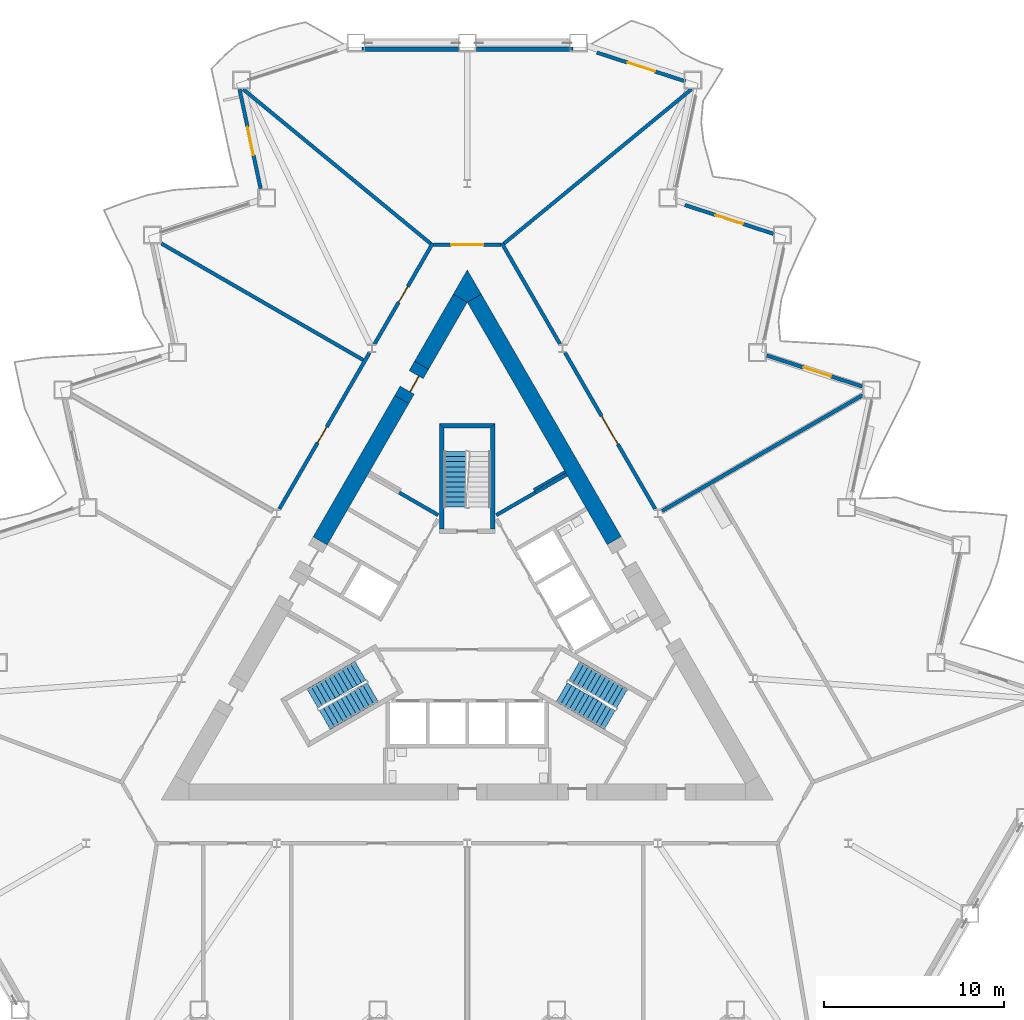
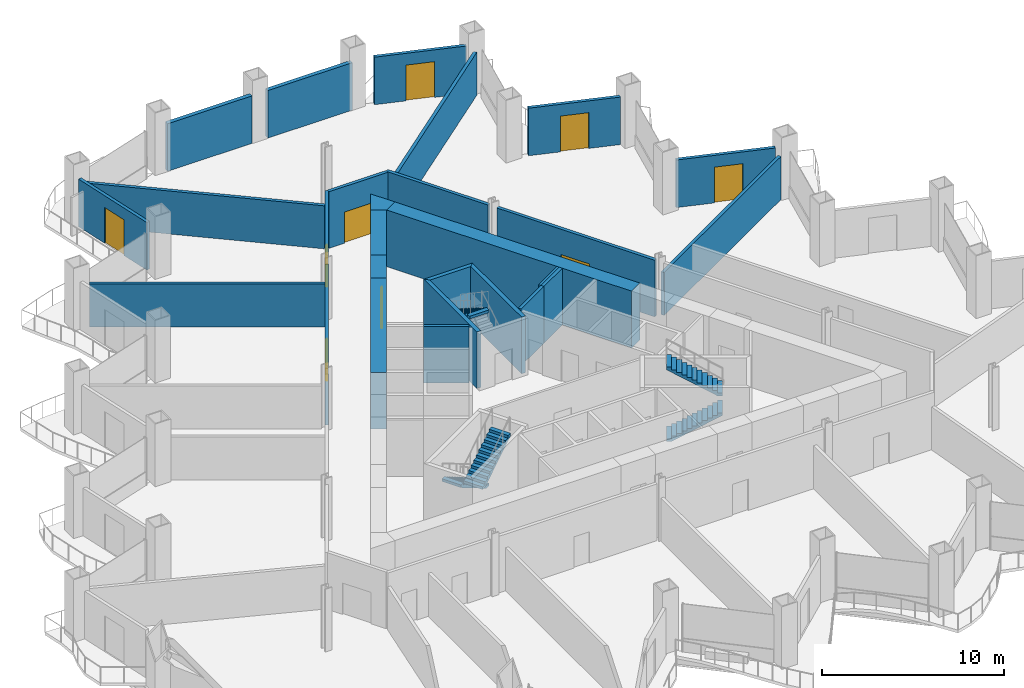
# One storey, part 12 of 20: 27 walls, 9 doors, 5 stair flights, 9 openings, 3 elements without a shape of their own.
"""IFC4 building model written with IfcOpenShell, lengths in metres."""

from ifc_helpers import new_model, si_unit, direction, frame, frame_2d, origin, place, context, subcontext, project, spatial, polyline, rectangle, outline, extrude, material, layer, layer_set, type_object, element, fill, aggregate, save


model = new_model("IFC4")

# Units and contexts
model_context = context("Model", 3, precision=1e-05, world=origin(), true_north=direction((0.0, 1.0)))
body_context = subcontext(model_context, "Body", "Model", "MODEL_VIEW")
ifc_project = project(units=[si_unit("LENGTHUNIT", "METRE"), si_unit("AREAUNIT", "SQUARE_METRE"), si_unit("VOLUMEUNIT", "CUBIC_METRE"), si_unit("PLANEANGLEUNIT", "RADIAN"), si_unit("MASSUNIT", "GRAM", prefix="KILO")], contexts=[model_context])

# Site, building, storey
site_placement = place(None, origin())
site = spatial("IfcSite", under=ifc_project, at=site_placement, CompositionType="ELEMENT")
building_placement = place(site_placement, origin())
building = spatial("IfcBuilding", under=site, at=building_placement, Name="Cormorant Prow Tower", CompositionType="ELEMENT")
storey_placement = place(building_placement, frame((0.0, 0.0, 63.60009765625)))
storey = spatial("IfcBuildingStorey", under=building, at=storey_placement, Name="L13", CompositionType="ELEMENT", Elevation=63.60009765625)

# Walls
ifc_material_1 = material(Name="Gypsum board partition")
ifc_layer_1 = layer(ifc_material_1, 0.14990234375)
ifc_layer_set_1 = layer_set([ifc_layer_1], Name="Gypsum board partition")
wall_type_1 = type_object("IfcWallType", Name="Core partition 150", PredefinedType="PARTITIONING", material=ifc_layer_set_1)
wall_1_placement = place(storey_placement, frame((3.693359375, 7.4150390625, 0.0), z_axis=(0.0, 0.0, 1.0), x_axis=(0.866035824272, 0.499981950752, 0.0)))
element("IfcWall", 1, at=wall_1_placement, inside=storey, type_object=wall_type_1, Name="Service room partition", PredefinedType="PARTITIONING", context=body_context, shape_type="SweptSolid", body=[
    extrude(rectangle(XDim=2.0087890625, YDim=0.14990234375, at=frame_2d((1.00439453125, 0.0))), origin(), (0.0, 0.0, 1.0), 3.7998046875),
])
ifc_material_2 = material(Name="Concrete 8000 psi", Category="concrete")
ifc_layer_2 = layer(ifc_material_2, 0.89990234375)
ifc_layer_set_2 = layer_set([ifc_layer_2], Name="Concrete 8000 psi")
wall_type_2 = type_object("IfcWallType", Name="Core shear wall 900", PredefinedType="SHEAR", material=ifc_layer_set_2)
wall_2_placement = place(storey_placement, frame((8.160400390625, 4.595947265625, 0.0), z_axis=(0.0, 0.0, 1.0), x_axis=(-0.500009830349, 0.866019728156, 0.0)))
element("IfcWall", 2, at=wall_2_placement, inside=storey, type_object=wall_type_2, Name="Core wall", PredefinedType="SHEAR", context=body_context, shape_type="SweptSolid", body=[
    extrude(rectangle(XDim=15.541259765625, YDim=0.89990234375, at=frame_2d((7.7705078125, 0.0))), origin(), (0.0, 0.0, 1.0), 3.7998046875),
])
wall_3_placement = place(storey_placement, frame((-3.637451171875, 12.4296875, 0.0), z_axis=(0.0, 0.0, 1.0), x_axis=(-0.500011513458, -0.866018756384, 0.0)))
element("IfcWall", 3, at=wall_3_placement, inside=storey, type_object=wall_type_2, Name="Core wall", PredefinedType="SHEAR", context=body_context, shape_type="SweptSolid", body=[
    extrude(rectangle(XDim=9.065673828125, YDim=0.89990234375, at=frame_2d((4.53271484375, 0.0))), origin(), (0.0, 0.0, 1.0), 3.7998046875),
])
wall_4_placement = place(storey_placement, frame((-0.3896484375, 18.054931640625, 0.0), z_axis=(0.0, 0.0, 1.0), x_axis=(-0.500014347272, -0.866017120224, 0.0)))
element("IfcWall", 4, at=wall_4_placement, inside=storey, type_object=wall_type_2, Name="Core wall", PredefinedType="SHEAR", context=body_context, shape_type="SweptSolid", body=[
    extrude(rectangle(XDim=4.295654296875, YDim=0.89990234375, at=frame_2d((2.14794921875, 0.0))), origin(), (0.0, 0.0, 1.0), 3.7998046875),
])
wall_5_placement = place(storey_placement, origin())
element("IfcWall", 5, at=wall_5_placement, inside=storey, type_object=wall_type_2, Name="Core wall corner", PredefinedType="SHEAR", context=body_context, shape_type="SweptSolid", body=[
    extrude(outline(polyline([(-0.779296875, 18.27978515625), (0.0, 19.6298828125), (0.779296875, 18.27978515625), (0.0, 17.829833984375), (-0.779296875, 18.27978515625)])), origin(), (0.0, 0.0, 1.0), 3.7998046875),
])

# Wall, opening, door
wall_6_placement = place(storey_placement, frame((-2.53759765625, 14.334716796875, 0.0), z_axis=(0.0, 0.0, 1.0), x_axis=(-0.499994660107, -0.866028486751, 0.0)))
wall_6 = element("IfcWall", 6, at=wall_6_placement, inside=storey, type_object=wall_type_2, Name="Core wall door panel", PredefinedType="SHEAR", context=body_context, shape_type="SweptSolid", body=[
    extrude(rectangle(XDim=2.19970703125, YDim=0.89990234375, at=frame_2d((1.099853515625, 0.0))), origin(), (0.0, 0.0, 1.0), 3.7998046875),
])
opening_1_placement = place(wall_6_placement, frame((0.60009765625, 0.0, 0.0)))
opening_1 = element("IfcOpeningElement", 7, at=opening_1_placement, cuts=wall_6, Name="Opening L13-C20", PredefinedType="OPENING", context=body_context, shape_type="SweptSolid", body=[
    extrude(rectangle(XDim=1.0, YDim=2.10009765625, at=frame_2d((0.5, 1.050048828125))), frame((0.0, 0.4599609375, 0.0), z_axis=(0.0, -1.0, 0.0), x_axis=(1.0, 0.0, 0.0)), (0.0, 0.0, 1.0), 0.919921875),
])
ifc_material_3 = material(Name="Painted steel", Category="steel")
door_type_1 = type_object("IfcDoorType", Name="Service door 1000x2100", OperationType="NOTDEFINED", PredefinedType="DOOR", material=ifc_material_3)
door_1_placement = place(opening_1_placement, origin())
door_1 = element("IfcDoor", 8, at=door_1_placement, inside=storey, type_object=door_type_1, Name="Core door, Telecom room", OperationType="SINGLE_SWING_RIGHT", OverallHeight=2.10009765625, OverallWidth=1.0, PredefinedType="DOOR", context=body_context, shape_type="SweptSolid", body=[
    extrude(rectangle(XDim=1.0, YDim=2.10009765625, at=frame_2d((0.5, 1.050048828125))), frame((0.0, 0.205078125, 0.0), z_axis=(0.0, -1.0, 0.0), x_axis=(1.0, 0.0, 0.0)), (0.0, 0.0, 1.0), 0.050048828125),
])
fill(opening_1, door_1)

ifc_material_4 = material(Name="Gypsum board corridor wall")
ifc_layer_3 = layer(ifc_material_4, 0.199951171875)
ifc_layer_set_3 = layer_set([ifc_layer_3], Name="Gypsum board corridor wall")
wall_type_3 = type_object("IfcWallType", Name="Corridor wall 200", PredefinedType="PARTITIONING", material=ifc_layer_set_3)
wall_7_placement = place(storey_placement, frame((5.42919921875, 15.0263671875, 0.0), z_axis=(0.0, 0.0, 1.0), x_axis=(0.50001002959, -0.86601961312, 0.0)))
wall_7 = element("IfcWall", 9, at=wall_7_placement, inside=storey, type_object=wall_type_3, Name="Corridor wall", PredefinedType="PARTITIONING", context=body_context, shape_type="SweptSolid", body=[
    extrude(rectangle(XDim=10.018798828125, YDim=0.199951171875, at=frame_2d((5.00927734375, 0.0))), origin(), (0.0, 0.0, 1.0), 3.7998046875),
])
opening_2_placement = place(wall_7_placement, frame((4.059326171875, 0.0, 0.0)))
opening_2 = element("IfcOpeningElement", 10, at=opening_2_placement, cuts=wall_7, Name="Opening L13-F09", PredefinedType="OPENING", context=body_context, shape_type="SweptSolid", body=[
    extrude(rectangle(XDim=1.800048828125, YDim=2.10009765625, at=frame_2d((0.89990234375, 1.050048828125))), frame((0.0, 0.10986328125, 0.0), z_axis=(0.0, -1.0, 0.0), x_axis=(1.0, 0.0, 0.0)), (0.0, 0.0, 1.0), 0.219970703125),
])
ifc_material_5 = material(Name="Timber door leaf", Category="wood")
door_type_2 = type_object("IfcDoorType", Name="Double door 1800x2100", OperationType="DOUBLE_DOOR_SINGLE_SWING", PredefinedType="DOOR", material=ifc_material_5)
door_2_placement = place(opening_2_placement, origin())
door_2 = element("IfcDoor", 11, at=door_2_placement, inside=storey, type_object=door_type_2, Name="Trading room door", OperationType="DOUBLE_DOOR_SINGLE_SWING", OverallHeight=2.10009765625, OverallWidth=1.800048828125, PredefinedType="DOOR", context=body_context, shape_type="SweptSolid", body=[
    extrude(rectangle(XDim=1.800048828125, YDim=2.10009765625, at=frame_2d((0.89990234375, 1.050048828125))), frame((0.0, 0.02490234375, 0.0), z_axis=(0.0, -1.0, 0.0), x_axis=(1.0, 0.0, 0.0)), (0.0, 0.0, 1.0), 0.050048828125),
])
fill(opening_2, door_2)

wall_8_placement = place(storey_placement, frame((-10.438720703125, 6.349853515625, 0.0), z_axis=(0.0, 0.0, 1.0), x_axis=(0.50001002959, 0.86601961312, 0.0)))
wall_8 = element("IfcWall", 12, at=wall_8_placement, inside=storey, type_object=wall_type_3, Name="Corridor wall", PredefinedType="PARTITIONING", context=body_context, shape_type="SweptSolid", body=[
    extrude(rectangle(XDim=10.018798828125, YDim=0.199951171875, at=frame_2d((5.00927734375, 0.0))), origin(), (0.0, 0.0, 1.0), 3.7998046875),
])
opening_3_placement = place(wall_8_placement, frame((4.2587890625, 0.0, 0.0)))
opening_3 = element("IfcOpeningElement", 13, at=opening_3_placement, cuts=wall_8, Name="Opening L13-F12", PredefinedType="OPENING", context=body_context, shape_type="SweptSolid", body=[
    extrude(rectangle(XDim=1.0, YDim=2.10009765625, at=frame_2d((0.5, 1.050048828125))), frame((0.0, 0.10986328125, 0.0), z_axis=(0.0, -1.0, 0.0), x_axis=(1.0, 0.0, 0.0)), (0.0, 0.0, 1.0), 0.219970703125),
])
ifc_material_6 = material(Name="Timber door leaf", Category="wood")
door_type_3 = type_object("IfcDoorType", Name="Office door 1000x2100", OperationType="NOTDEFINED", PredefinedType="DOOR", material=ifc_material_6)
door_3_placement = place(opening_3_placement, origin())
door_3 = element("IfcDoor", 14, at=door_3_placement, inside=storey, type_object=door_type_3, Name="Co-working room door", OperationType="SINGLE_SWING_RIGHT", OverallHeight=2.10009765625, OverallWidth=1.0, PredefinedType="DOOR", context=body_context, shape_type="SweptSolid", body=[
    extrude(rectangle(XDim=1.0, YDim=2.10009765625, at=frame_2d((0.5, 1.050048828125))), frame((0.0, 0.02490234375, 0.0), z_axis=(0.0, -1.0, 0.0), x_axis=(1.0, 0.0, 0.0)), (0.0, 0.0, 1.0), 0.050048828125),
])
fill(opening_3, door_3)

# Wall
wall_9_placement = place(storey_placement, frame((1.9130859375, 21.116455078125, 0.0), z_axis=(0.0, 0.0, 1.0), x_axis=(0.500001069878, -0.866024786089, 0.0)))
element("IfcWall", 15, at=wall_9_placement, inside=storey, type_object=wall_type_3, Name="Corridor wall", PredefinedType="PARTITIONING", context=body_context, shape_type="SweptSolid", body=[
    extrude(rectangle(XDim=6.47265625, YDim=0.199951171875, at=frame_2d((3.236328125, 0.0))), origin(), (0.0, 0.0, 1.0), 3.7998046875),
])

# Wall, opening, door
wall_10_placement = place(storey_placement, frame((-5.1494140625, 15.510986328125, 0.0), z_axis=(0.0, 0.0, 1.0), x_axis=(0.500001069878, 0.866024786089, 0.0)))
wall_10 = element("IfcWall", 16, at=wall_10_placement, inside=storey, type_object=wall_type_3, Name="Corridor wall", PredefinedType="PARTITIONING", context=body_context, shape_type="SweptSolid", body=[
    extrude(rectangle(XDim=6.47265625, YDim=0.199951171875, at=frame_2d((3.236328125, 0.0))), origin(), (0.0, 0.0, 1.0), 3.7998046875),
])
opening_4_placement = place(wall_10_placement, frame((2.685546875, 0.0, 0.0)))
opening_4 = element("IfcOpeningElement", 17, at=opening_4_placement, cuts=wall_10, Name="Opening L13-F11", PredefinedType="OPENING", context=body_context, shape_type="SweptSolid", body=[
    extrude(rectangle(XDim=1.0, YDim=2.10009765625, at=frame_2d((0.5, 1.050048828125))), frame((0.0, 0.10986328125, 0.0), z_axis=(0.0, -1.0, 0.0), x_axis=(1.0, 0.0, 0.0)), (0.0, 0.0, 1.0), 0.219970703125),
])
door_4_placement = place(opening_4_placement, origin())
door_4 = element("IfcDoor", 18, at=door_4_placement, inside=storey, type_object=door_type_3, Name="Tenant suite door", OperationType="SINGLE_SWING_RIGHT", OverallHeight=2.10009765625, OverallWidth=1.0, PredefinedType="DOOR", context=body_context, shape_type="SweptSolid", body=[
    extrude(rectangle(XDim=1.0, YDim=2.10009765625, at=frame_2d((0.5, 1.050048828125))), frame((0.0, 0.02490234375, 0.0), z_axis=(0.0, -1.0, 0.0), x_axis=(1.0, 0.0, 0.0)), (0.0, 0.0, 1.0), 0.050048828125),
])
fill(opening_4, door_4)

wall_11_placement = place(storey_placement, frame((-1.863037109375, 21.02978515625, 0.0), z_axis=(0.0, 0.0, 1.0), x_axis=(1.0, 0.0, 0.0)))
wall_11 = element("IfcWall", 19, at=wall_11_placement, inside=storey, type_object=wall_type_3, Name="Corridor wall", PredefinedType="PARTITIONING", context=body_context, shape_type="SweptSolid", body=[
    extrude(rectangle(XDim=3.72607421875, YDim=0.199951171875, at=frame_2d((1.863037109375, 0.0))), origin(), (0.0, 0.0, 1.0), 3.7998046875),
])
opening_5_placement = place(wall_11_placement, frame((0.962890625, 0.0, 0.0)))
opening_5 = element("IfcOpeningElement", 20, at=opening_5_placement, cuts=wall_11, Name="Opening L13-F10", PredefinedType="OPENING", context=body_context, shape_type="SweptSolid", body=[
    extrude(rectangle(XDim=1.800048828125, YDim=2.10009765625, at=frame_2d((0.89990234375, 1.050048828125))), frame((0.0, 0.10986328125, 0.0), z_axis=(0.0, -1.0, 0.0), x_axis=(1.0, 0.0, 0.0)), (0.0, 0.0, 1.0), 0.219970703125),
])
door_5_placement = place(opening_5_placement, origin())
door_5 = element("IfcDoor", 21, at=door_5_placement, inside=storey, type_object=door_type_2, Name="Open-plan office door", OperationType="DOUBLE_DOOR_SINGLE_SWING", OverallHeight=2.10009765625, OverallWidth=1.800048828125, PredefinedType="DOOR", context=body_context, shape_type="SweptSolid", body=[
    extrude(rectangle(XDim=1.800048828125, YDim=2.10009765625, at=frame_2d((0.89990234375, 1.050048828125))), frame((0.0, 0.02490234375, 0.0), z_axis=(0.0, -1.0, 0.0), x_axis=(1.0, 0.0, 0.0)), (0.0, 0.0, 1.0), 0.050048828125),
])
fill(opening_5, door_5)

# Walls
ifc_material_7 = material(Name="Gypsum board demising wall")
ifc_layer_4 = layer(ifc_material_7, 0.199951171875)
ifc_layer_set_4 = layer_set([ifc_layer_4], Name="Gypsum board demising wall")
wall_type_4 = type_object("IfcWallType", Name="Demising wall 200", PredefinedType="PARTITIONING", material=ifc_layer_set_4)
for number, where, z_axis, x_axis, name in (
    (22, (2.040283203125, 21.093505859375, 0.0), (0.0, 0.0, 1.0), (0.772048928551, 0.635563098302, 0.0), "Demising wall"),
    (23, (-12.44482421875, 29.65869140625, 0.0), (0.0, 0.0, 1.0), (0.772048928551, -0.635563098302, 0.0), "Demising wall"),
):
    element("IfcWall", number, at=place(storey_placement, frame(where, z_axis=z_axis, x_axis=x_axis)), inside=storey, type_object=wall_type_4, Name=name, PredefinedType="PARTITIONING", context=body_context, shape_type="SweptSolid", body=[
        extrude(rectangle(XDim=13.4765625, YDim=0.199951171875, at=frame_2d((6.73828125, 0.0))), origin(), (0.0, 0.0, 1.0), 2.88525390625),
    ])
wall_12_placement = place(storey_placement, frame((-16.981201171875, 21.091796875, 0.0), z_axis=(0.0, 0.0, 1.0), x_axis=(0.866026884493, -0.499997435328, 0.0)))
element("IfcWall", 24, at=wall_12_placement, inside=storey, type_object=wall_type_4, Name="Demising wall", PredefinedType="PARTITIONING", context=body_context, shape_type="SweptSolid", body=[
    extrude(rectangle(XDim=12.93701171875, YDim=0.199951171875, at=frame_2d((6.468505859375, 0.0))), origin(), (0.0, 0.0, 1.0), 2.88525390625),
])
wall_13_placement = place(storey_placement, frame((10.82080078125, 6.247314453125, 0.0), z_axis=(0.0, 0.0, 1.0), x_axis=(0.866026729935, 0.499997703033, 0.0)))
element("IfcWall", 25, at=wall_13_placement, inside=storey, type_object=wall_type_4, Name="Demising wall", PredefinedType="PARTITIONING", context=body_context, shape_type="SweptSolid", body=[
    extrude(rectangle(XDim=12.84765625, YDim=0.199951171875, at=frame_2d((6.423828125, 0.0))), origin(), (0.0, 0.0, 1.0), 2.88525390625),
])
ifc_material_8 = material(Name="Concrete 8000 psi", Category="concrete")
ifc_layer_5 = layer(ifc_material_8, 0.199951171875)
ifc_layer_set_5 = layer_set([ifc_layer_5], Name="Concrete 8000 psi")
wall_type_5 = type_object("IfcWallType", Name="Lift shaft wall 200", PredefinedType="SHEAR", material=ifc_layer_set_5)
wall_14_placement = place(storey_placement, origin())
element("IfcWall", 26, at=wall_14_placement, inside=storey, type_object=wall_type_5, Name="Lift shaft walls, ENE block", PredefinedType="SHEAR", context=body_context, shape_type="SweptSolid", body=[
    extrude(outline(polyline([(1.560546875, 6.09716796875), (3.730712890625, 7.35009765625), (3.830810546875, 7.177001953125), (1.660400390625, 5.923828125), (1.560546875, 6.09716796875)])), origin(), (0.0, 0.0, 1.0), 3.7998046875),
])
wall_15_placement = place(storey_placement, frame((3.78076171875, 7.263427734375, 0.0), z_axis=(0.0, 0.0, 1.0), x_axis=(0.865983199114, 0.50007309351, 0.0)))
element("IfcWall", 27, at=wall_15_placement, inside=storey, type_object=wall_type_5, Name="Store side wall", PredefinedType="SHEAR", context=body_context, shape_type="SweptSolid", body=[
    extrude(rectangle(XDim=2.009033203125, YDim=0.199951171875, at=frame_2d((1.00439453125, 0.0))), origin(), (0.0, 0.0, 1.0), 3.7998046875),
])
wall_16_placement = place(storey_placement, origin())
element("IfcWall", 28, at=wall_16_placement, inside=storey, type_object=wall_type_5, Name="Lift shaft walls, WNW block", PredefinedType="SHEAR", context=body_context, shape_type="SweptSolid", body=[
    extrude(outline(polyline([(-3.730712890625, 7.35009765625), (-1.560546875, 6.09716796875), (-1.660400390625, 5.923828125), (-3.830810546875, 7.177001953125), (-3.730712890625, 7.35009765625)])), origin(), (0.0, 0.0, 1.0), 3.7998046875),
])
ifc_material_9 = material(Name="Concrete 8000 psi", Category="concrete")
ifc_layer_6 = layer(ifc_material_9, 0.25)
ifc_layer_set_6 = layer_set([ifc_layer_6], Name="Concrete 8000 psi")
wall_type_6 = type_object("IfcWallType", Name="Stair wall 250", PredefinedType="SHEAR", material=ifc_layer_set_6)
wall_17_placement = place(storey_placement, origin())
element("IfcWall", 29, at=wall_17_placement, inside=storey, type_object=wall_type_6, Name="Stair ST3 enclosure wall (flank)", PredefinedType="SHEAR", context=body_context, shape_type="SweptSolid", body=[
    extrude(outline(polyline([(1.5439453125, 5.23681640625), (1.5439453125, 11.0869140625), (1.2939453125, 10.8369140625), (1.2939453125, 5.23681640625), (1.5439453125, 5.23681640625)])), origin(), (0.0, 0.0, 1.0), 3.7998046875),
])
wall_18_placement = place(storey_placement, origin())
element("IfcWall", 30, at=wall_18_placement, inside=storey, type_object=wall_type_6, Name="Stair ST3 enclosure wall (end)", PredefinedType="SHEAR", context=body_context, shape_type="SweptSolid", body=[
    extrude(outline(polyline([(1.5439453125, 11.0869140625), (-1.5439453125, 11.0869140625), (-1.2939453125, 10.8369140625), (1.2939453125, 10.8369140625), (1.5439453125, 11.0869140625)])), origin(), (0.0, 0.0, 1.0), 3.7998046875),
])
wall_19_placement = place(storey_placement, origin())
element("IfcWall", 31, at=wall_19_placement, inside=storey, type_object=wall_type_6, Name="Stair ST3 enclosure wall (flank)", PredefinedType="SHEAR", context=body_context, shape_type="SweptSolid", body=[
    extrude(outline(polyline([(-1.2939453125, 10.8369140625), (-1.5439453125, 11.0869140625), (-1.5439453125, 5.23681640625), (-1.2939453125, 5.23681640625), (-1.2939453125, 10.8369140625)])), origin(), (0.0, 0.0, 1.0), 3.7998046875),
])
ifc_material_10 = material(Name="Terracotta", Category="masonry")
ifc_layer_7 = layer(ifc_material_10, 0.25)
ifc_layer_set_7 = layer_set([ifc_layer_7], Name="Terracotta")
wall_type_7 = type_object("IfcWallType", Name="Terracotta bay wall 250", PredefinedType="SOLIDWALL", material=ifc_layer_set_7)
for number, where, z_axis, x_axis, name in (
    (32, (5.858154296875, 31.882568359375, 0.0), (0.0, 0.0, 1.0), (-1.0, 0.0, 0.0), "Terracotta bay wall N00"),
    (33, (-0.5, 31.882568359375, 0.0), (0.0, 0.0, 1.0), (-1.0, 0.0, 0.0), "Terracotta bay wall N01"),
):
    element("IfcWall", number, at=place(storey_placement, frame(where, z_axis=z_axis, x_axis=x_axis)), inside=storey, type_object=wall_type_7, Name=name, PredefinedType="SOLIDWALL", context=body_context, shape_type="SweptSolid", body=[
        extrude(rectangle(XDim=5.358154296875, YDim=0.25, at=frame_2d((2.67919921875, 0.0))), origin(), (0.0, 0.0, 1.0), 3.188720703125),
    ])

# Wall, opening, door
ifc_material_11 = material(Name="Terracotta", Category="masonry")
ifc_layer_8 = layer(ifc_material_11, 0.199951171875)
ifc_layer_set_8 = layer_set([ifc_layer_8], Name="Terracotta")
wall_type_8 = type_object("IfcWallType", Name="Terracotta jamb wall 200", PredefinedType="SOLIDWALL", material=ifc_layer_set_8)
wall_20_placement = place(storey_placement, frame((21.9326171875, 13.152587890625, 0.0), z_axis=(0.0, 0.0, 1.0), x_axis=(-0.951066864375, 0.308985144444, 0.0)))
wall_20 = element("IfcWall", 34, at=wall_20_placement, inside=storey, type_object=wall_type_8, Name="Terracotta jamb wall ENE05", PredefinedType="SOLIDWALL", context=body_context, shape_type="SweptSolid", body=[
    extrude(rectangle(XDim=5.5791015625, YDim=0.199951171875, at=frame_2d((2.78955078125, 0.0))), origin(), (0.0, 0.0, 1.0), 3.188720703125),
])
opening_6_placement = place(wall_20_placement, frame((1.82763671875, 0.0, 0.0)))
opening_6 = element("IfcOpeningElement", 35, at=opening_6_placement, cuts=wall_20, Name="Opening ED13.08", PredefinedType="OPENING", context=body_context, shape_type="SweptSolid", body=[
    extrude(rectangle(XDim=1.60009765625, YDim=2.39990234375, at=frame_2d((0.800048828125, 1.199951171875))), frame((0.0, 0.10986328125, 0.0), z_axis=(0.0, -1.0, 0.0), x_axis=(1.0, 0.0, 0.0)), (0.0, 0.0, 1.0), 0.219970703125),
])
ifc_material_12 = material(Name="Aluminium 6063-T6", Category="aluminium")
door_type_4 = type_object("IfcDoorType", Name="Balcony door 1600x2400", OperationType="DOUBLE_DOOR_SINGLE_SWING", PredefinedType="DOOR", material=ifc_material_12)
door_6_placement = place(opening_6_placement, origin())
door_6 = element("IfcDoor", 36, at=door_6_placement, inside=storey, type_object=door_type_4, Name="Balcony door ENE05 ED13.08", OperationType="DOUBLE_DOOR_SINGLE_SWING", OverallHeight=2.39990234375, OverallWidth=1.60009765625, PredefinedType="DOOR", context=body_context, shape_type="SweptSolid", body=[
    extrude(rectangle(XDim=1.60009765625, YDim=2.39990234375, at=frame_2d((0.800048828125, 1.199951171875))), frame((0.0, 0.02490234375, 0.0), z_axis=(0.0, -1.0, 0.0), x_axis=(1.0, 0.0, 0.0)), (0.0, 0.0, 1.0), 0.050048828125),
])
fill(opening_6, door_6)

wall_21_placement = place(storey_placement, frame((17.004638671875, 21.63134765625, 0.0), z_axis=(0.0, 0.0, 1.0), x_axis=(-0.951045170621, 0.309051910588, 0.0)))
wall_21 = element("IfcWall", 37, at=wall_21_placement, inside=storey, type_object=wall_type_8, Name="Terracotta jamb wall ENE07", PredefinedType="SOLIDWALL", context=body_context, shape_type="SweptSolid", body=[
    extrude(rectangle(XDim=5.171142578125, YDim=0.199951171875, at=frame_2d((2.58544921875, 0.0))), origin(), (0.0, 0.0, 1.0), 3.188720703125),
])
opening_7_placement = place(wall_21_placement, frame((1.78564453125, 0.0, 0.0)))
opening_7 = element("IfcOpeningElement", 38, at=opening_7_placement, cuts=wall_21, Name="Opening ED13.09", PredefinedType="OPENING", context=body_context, shape_type="SweptSolid", body=[
    extrude(rectangle(XDim=1.60009765625, YDim=2.39990234375, at=frame_2d((0.800048828125, 1.199951171875))), frame((0.0, 0.10986328125, 0.0), z_axis=(0.0, -1.0, 0.0), x_axis=(1.0, 0.0, 0.0)), (0.0, 0.0, 1.0), 0.219970703125),
])
door_7_placement = place(opening_7_placement, origin())
door_7 = element("IfcDoor", 39, at=door_7_placement, inside=storey, type_object=door_type_4, Name="Balcony door ENE07 ED13.09", OperationType="DOUBLE_DOOR_SINGLE_SWING", OverallHeight=2.39990234375, OverallWidth=1.60009765625, PredefinedType="DOOR", context=body_context, shape_type="SweptSolid", body=[
    extrude(rectangle(XDim=1.60009765625, YDim=2.39990234375, at=frame_2d((0.800048828125, 1.199951171875))), frame((0.0, 0.02490234375, 0.0), z_axis=(0.0, -1.0, 0.0), x_axis=(1.0, 0.0, 0.0)), (0.0, 0.0, 1.0), 0.050048828125),
])
fill(opening_7, door_7)

wall_22_placement = place(storey_placement, frame((12.116943359375, 30.097412109375, 0.0), z_axis=(0.0, 0.0, 1.0), x_axis=(-0.951063554534, 0.308995332064, 0.0)))
wall_22 = element("IfcWall", 40, at=wall_22_placement, inside=storey, type_object=wall_type_8, Name="Terracotta jamb wall ENE09", PredefinedType="SOLIDWALL", context=body_context, shape_type="SweptSolid", body=[
    extrude(rectangle(XDim=5.17138671875, YDim=0.199951171875, at=frame_2d((2.585693359375, 0.0))), origin(), (0.0, 0.0, 1.0), 3.188720703125),
])
opening_8_placement = place(wall_22_placement, frame((1.78564453125, 0.0, 0.0)))
opening_8 = element("IfcOpeningElement", 41, at=opening_8_placement, cuts=wall_22, Name="Opening ED13.10", PredefinedType="OPENING", context=body_context, shape_type="SweptSolid", body=[
    extrude(rectangle(XDim=1.60009765625, YDim=2.39990234375, at=frame_2d((0.800048828125, 1.199951171875))), frame((0.0, 0.10986328125, 0.0), z_axis=(0.0, -1.0, 0.0), x_axis=(1.0, 0.0, 0.0)), (0.0, 0.0, 1.0), 0.219970703125),
])
door_8_placement = place(opening_8_placement, origin())
door_8 = element("IfcDoor", 42, at=door_8_placement, inside=storey, type_object=door_type_4, Name="Balcony door ENE09 ED13.10", OperationType="DOUBLE_DOOR_SINGLE_SWING", OverallHeight=2.39990234375, OverallWidth=1.60009765625, PredefinedType="DOOR", context=body_context, shape_type="SweptSolid", body=[
    extrude(rectangle(XDim=1.60009765625, YDim=2.39990234375, at=frame_2d((0.800048828125, 1.199951171875))), frame((0.0, 0.02490234375, 0.0), z_axis=(0.0, -1.0, 0.0), x_axis=(1.0, 0.0, 0.0)), (0.0, 0.0, 1.0), 0.050048828125),
])
fill(opening_8, door_8)

wall_23_placement = place(storey_placement, frame((-12.6455078125, 29.652099609375, 0.0), z_axis=(0.0, 0.0, 1.0), x_axis=(0.207901831982, -0.978149696242, 0.0)))
wall_23 = element("IfcWall", 43, at=wall_23_placement, inside=storey, type_object=wall_type_8, Name="Terracotta jamb wall WNW01", PredefinedType="SOLIDWALL", context=body_context, shape_type="SweptSolid", body=[
    extrude(rectangle(XDim=5.626220703125, YDim=0.199951171875, at=frame_2d((2.81298828125, 0.0))), origin(), (0.0, 0.0, 1.0), 3.188720703125),
])
opening_9_placement = place(wall_23_placement, frame((2.136962890625, 0.0, 0.0)))
opening_9 = element("IfcOpeningElement", 44, at=opening_9_placement, cuts=wall_23, Name="Opening ED13.11", PredefinedType="OPENING", context=body_context, shape_type="SweptSolid", body=[
    extrude(rectangle(XDim=1.60009765625, YDim=2.39990234375, at=frame_2d((0.800048828125, 1.199951171875))), frame((0.0, 0.10986328125, 0.0), z_axis=(0.0, -1.0, 0.0), x_axis=(1.0, 0.0, 0.0)), (0.0, 0.0, 1.0), 0.219970703125),
])
door_9_placement = place(opening_9_placement, origin())
door_9 = element("IfcDoor", 45, at=door_9_placement, inside=storey, type_object=door_type_4, Name="Balcony door WNW01 ED13.11", OperationType="DOUBLE_DOOR_SINGLE_SWING", OverallHeight=2.39990234375, OverallWidth=1.60009765625, PredefinedType="DOOR", context=body_context, shape_type="SweptSolid", body=[
    extrude(rectangle(XDim=1.60009765625, YDim=2.39990234375, at=frame_2d((0.800048828125, 1.199951171875))), frame((0.0, 0.02490234375, 0.0), z_axis=(0.0, -1.0, 0.0), x_axis=(1.0, 0.0, 0.0)), (0.0, 0.0, 1.0), 0.050048828125),
])
fill(opening_9, door_9)

# Stair, stair flights
ifc_material_13 = material(Name="Exit stair 24 risers")
stair_type = type_object("IfcStairType", Name="Exit stair 24 risers", PredefinedType="HALF_TURN_STAIR", material=ifc_material_13)
stair_1_placement = place(storey_placement, origin())
stair_1 = element("IfcStair", 46, at=stair_1_placement, inside=storey, type_object=stair_type, Name="L13 Exit stair ST1", PredefinedType="HALF_TURN_STAIR")
ifc_material_14 = material(Name="Concrete 5000 psi", Category="concrete")
stair_flight_type = type_object("IfcStairFlightType", Name="Stair flight 1219", PredefinedType="STRAIGHT", material=ifc_material_14)
stair_flight_1_placement = place(storey_placement, frame((-5.93310546875, -2.635009765625, 0.0), z_axis=(0.0, 0.0, 1.0), x_axis=(-0.866025403784, -0.5, 0.0)))
stair_flight_1 = element("IfcStairFlight", 47, at=stair_flight_1_placement, type_object=stair_flight_type, Name="ST1 flight 1", NumberOfRisers=12, NumberOfTreads=11, PredefinedType="STRAIGHT", RiserHeight=0.175, TreadLength=0.28, context=body_context, shape_type="SweptSolid", body=[
    extrude(outline(polyline([(0.0, 0.0), (0.0, 0.175048828125), (0.280029296875, 0.175048828125), (0.280029296875, 0.35009765625), (0.56005859375, 0.35009765625), (0.56005859375, 0.52490234375), (0.840087890625, 0.52490234375), (0.840087890625, 0.699951171875), (1.1201171875, 0.699951171875), (1.1201171875, 0.875), (1.39990234375, 0.875), (1.39990234375, 1.050048828125), (1.679931640625, 1.050048828125), (1.679931640625, 1.22509765625), (1.9599609375, 1.22509765625), (1.9599609375, 1.39990234375), (2.239990234375, 1.39990234375), (2.239990234375, 1.574951171875), (2.52001953125, 1.574951171875), (2.52001953125, 1.75), (2.800048828125, 1.75), (2.800048828125, 1.925048828125), (3.080078125, 1.925048828125), (3.080078125, 2.10009765625), (3.080078125, 1.748291015625), (0.28271484375, 0.0), (0.0, 0.0)])), frame((0.0, 0.609375, 0.0), z_axis=(0.0, -1.0, 0.0), x_axis=(1.0, 0.0, 0.0)), (0.0, 0.0, 1.0), 1.218994140625),
])
stair_flight_2_placement = place(storey_placement, frame((-7.916015625, -5.360595703125, 2.099853515625), z_axis=(0.0, 0.0, 1.0), x_axis=(0.866025403784, 0.5, 0.0)))
stair_flight_2 = element("IfcStairFlight", 48, at=stair_flight_2_placement, type_object=stair_flight_type, Name="ST1 flight 2", NumberOfRisers=12, NumberOfTreads=11, PredefinedType="STRAIGHT", RiserHeight=0.175, TreadLength=0.28, context=body_context, shape_type="SweptSolid", body=[
    extrude(outline(polyline([(0.0, 0.0), (0.0, 0.175048828125), (0.280029296875, 0.175048828125), (0.280029296875, 0.35009765625), (0.56005859375, 0.35009765625), (0.56005859375, 0.52490234375), (0.840087890625, 0.52490234375), (0.840087890625, 0.699951171875), (1.1201171875, 0.699951171875), (1.1201171875, 0.875), (1.39990234375, 0.875), (1.39990234375, 1.050048828125), (1.679931640625, 1.050048828125), (1.679931640625, 1.22509765625), (1.9599609375, 1.22509765625), (1.9599609375, 1.39990234375), (2.239990234375, 1.39990234375), (2.239990234375, 1.574951171875), (2.52001953125, 1.574951171875), (2.52001953125, 1.75), (2.800048828125, 1.75), (2.800048828125, 1.925048828125), (3.080078125, 1.925048828125), (3.080078125, 2.10009765625), (3.080078125, 1.748291015625), (0.28271484375, 0.0), (0.0, 0.0)])), frame((0.0, 0.609375, 0.0), z_axis=(0.0, -1.0, 0.0), x_axis=(1.0, 0.0, 0.0)), (0.0, 0.0, 1.0), 1.218994140625),
])
aggregate(stair_1, [stair_flight_1, stair_flight_2])

stair_2_placement = place(storey_placement, origin())
stair_2 = element("IfcStair", 49, at=stair_2_placement, inside=storey, type_object=stair_type, Name="L13 Exit stair ST2", PredefinedType="HALF_TURN_STAIR")
stair_flight_3_placement = place(storey_placement, frame((5.24853515625, -3.82080078125, 0.0), z_axis=(0.0, 0.0, 1.0), x_axis=(0.866025403784, -0.5, 0.0)))
stair_flight_3 = element("IfcStairFlight", 50, at=stair_flight_3_placement, type_object=stair_flight_type, Name="ST2 flight 1", NumberOfRisers=12, NumberOfTreads=11, PredefinedType="STRAIGHT", RiserHeight=0.175, TreadLength=0.28, context=body_context, shape_type="SweptSolid", body=[
    extrude(outline(polyline([(0.0, 0.0), (0.0, 0.175048828125), (0.280029296875, 0.175048828125), (0.280029296875, 0.35009765625), (0.56005859375, 0.35009765625), (0.56005859375, 0.52490234375), (0.840087890625, 0.52490234375), (0.840087890625, 0.699951171875), (1.1201171875, 0.699951171875), (1.1201171875, 0.875), (1.39990234375, 0.875), (1.39990234375, 1.050048828125), (1.679931640625, 1.050048828125), (1.679931640625, 1.22509765625), (1.9599609375, 1.22509765625), (1.9599609375, 1.39990234375), (2.239990234375, 1.39990234375), (2.239990234375, 1.574951171875), (2.52001953125, 1.574951171875), (2.52001953125, 1.75), (2.800048828125, 1.75), (2.800048828125, 1.925048828125), (3.080078125, 1.925048828125), (3.080078125, 2.10009765625), (3.080078125, 1.748291015625), (0.28271484375, 0.0), (0.0, 0.0)])), frame((0.0, 0.609375, 0.0), z_axis=(0.0, -1.0, 0.0), x_axis=(1.0, 0.0, 0.0)), (0.0, 0.0, 1.0), 1.218994140625),
])
stair_flight_4_placement = place(storey_placement, frame((8.6005859375, -4.175048828125, 2.099853515625), z_axis=(0.0, 0.0, 1.0), x_axis=(-0.866025403784, 0.5, 0.0)))
stair_flight_4 = element("IfcStairFlight", 51, at=stair_flight_4_placement, type_object=stair_flight_type, Name="ST2 flight 2", NumberOfRisers=12, NumberOfTreads=11, PredefinedType="STRAIGHT", RiserHeight=0.175, TreadLength=0.28, context=body_context, shape_type="SweptSolid", body=[
    extrude(outline(polyline([(0.0, 0.0), (0.0, 0.175048828125), (0.280029296875, 0.175048828125), (0.280029296875, 0.35009765625), (0.56005859375, 0.35009765625), (0.56005859375, 0.52490234375), (0.840087890625, 0.52490234375), (0.840087890625, 0.699951171875), (1.1201171875, 0.699951171875), (1.1201171875, 0.875), (1.39990234375, 0.875), (1.39990234375, 1.050048828125), (1.679931640625, 1.050048828125), (1.679931640625, 1.22509765625), (1.9599609375, 1.22509765625), (1.9599609375, 1.39990234375), (2.239990234375, 1.39990234375), (2.239990234375, 1.574951171875), (2.52001953125, 1.574951171875), (2.52001953125, 1.75), (2.800048828125, 1.75), (2.800048828125, 1.925048828125), (3.080078125, 1.925048828125), (3.080078125, 2.10009765625), (3.080078125, 1.748291015625), (0.28271484375, 0.0), (0.0, 0.0)])), frame((0.0, 0.609375, 0.0), z_axis=(0.0, -1.0, 0.0), x_axis=(1.0, 0.0, 0.0)), (0.0, 0.0, 1.0), 1.218994140625),
])
aggregate(stair_2, [stair_flight_3, stair_flight_4])

# Stair, stair flight
stair_3_placement = place(storey_placement, origin())
stair_3 = element("IfcStair", 52, at=stair_3_placement, inside=storey, type_object=stair_type, Name="L13 Exit stair ST3", PredefinedType="HALF_TURN_STAIR")
stair_flight_5_placement = place(storey_placement, frame((-0.6845703125, 9.535888671875, 2.099853515625), z_axis=(0.0, 0.0, 1.0), x_axis=(0.0, -1.0, 0.0)))
stair_flight_5 = element("IfcStairFlight", 53, at=stair_flight_5_placement, type_object=stair_flight_type, Name="ST3 flight 2", NumberOfRisers=12, NumberOfTreads=11, PredefinedType="STRAIGHT", RiserHeight=0.175, TreadLength=0.28, context=body_context, shape_type="SweptSolid", body=[
    extrude(outline(polyline([(0.0, 0.0), (0.0, 0.175048828125), (0.280029296875, 0.175048828125), (0.280029296875, 0.35009765625), (0.56005859375, 0.35009765625), (0.56005859375, 0.52490234375), (0.840087890625, 0.52490234375), (0.840087890625, 0.699951171875), (1.1201171875, 0.699951171875), (1.1201171875, 0.875), (1.39990234375, 0.875), (1.39990234375, 1.050048828125), (1.679931640625, 1.050048828125), (1.679931640625, 1.22509765625), (1.9599609375, 1.22509765625), (1.9599609375, 1.39990234375), (2.239990234375, 1.39990234375), (2.239990234375, 1.574951171875), (2.52001953125, 1.574951171875), (2.52001953125, 1.75), (2.800048828125, 1.75), (2.800048828125, 1.925048828125), (3.080078125, 1.925048828125), (3.080078125, 2.10009765625), (3.080078125, 1.748291015625), (0.28271484375, 0.0), (0.0, 0.0)])), frame((0.0, 0.609375, 0.0), z_axis=(0.0, -1.0, 0.0), x_axis=(1.0, 0.0, 0.0)), (0.0, 0.0, 1.0), 1.218994140625),
])
aggregate(stair_3, [stair_flight_5])

save(model, "model.ifc")
